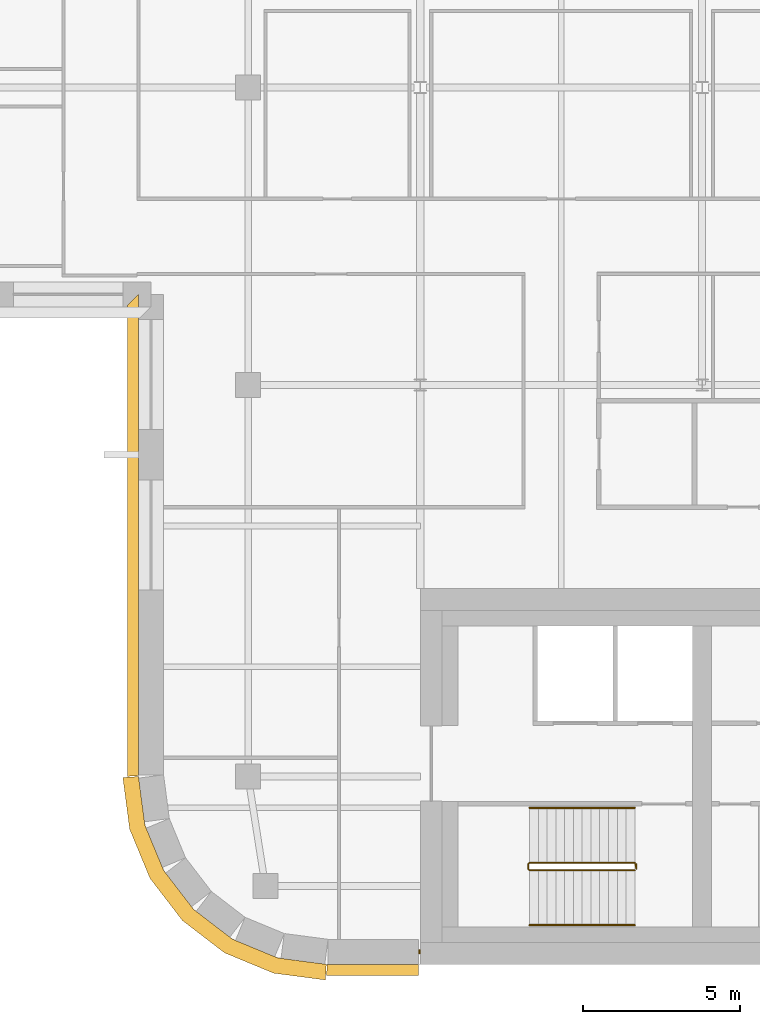
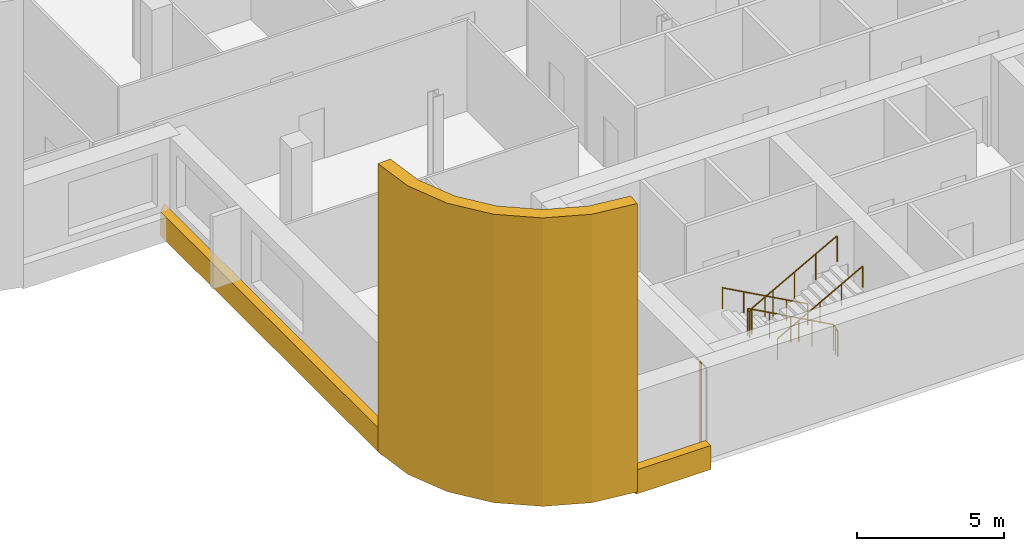
# One storey, part 14 of 17: 4 coverings, 3 railings.
"""IFC4 building model written with IfcOpenShell, lengths in metres."""

import ifcopenshell
import ifcopenshell.guid

model = None  # the IFC model being written
_history = None  # IfcOwnerHistory: only IFC2X3 demands one
_inside = {}  # id of a spatial element -> (the spatial element, [elements in it])
_under = {}  # id of a project, library or spatial element -> (it, [spatial elements below it])
_declared = {}  # id of a project -> (the project, [libraries it declares])
_typed = {}  # id of a type object -> (the type object, [elements of that type])
_made_of = {}  # id of a material, layer set ... -> (it, [elements and type objects made of it])


def new_model(schema):
    """Start an empty IFC model of exactly this schema.

    Asked for "IFC4X3", IfcOpenShell would pick the latest addendum, in which some entities
    have other attributes; the version numbers below select the first issue.
    IFC2X3 requires an IfcOwnerHistory on every rooted entity: one is made here for all.
    """
    global model, _history
    if schema == "IFC4X3":
        model = ifcopenshell.file(schema_version=(4, 3, 0, 0))
    else:
        model = ifcopenshell.file(schema=schema)
    _inside.clear()
    _under.clear()
    _declared.clear()
    _typed.clear()
    _made_of.clear()
    _history = None
    if model.schema == "IFC2X3":
        org = make("IfcOrganization", Name="unknown")
        user = make(
            "IfcPersonAndOrganization",
            ThePerson=make("IfcPerson", FamilyName="unknown"),
            TheOrganization=org,
        )
        app = make(
            "IfcApplication",
            ApplicationDeveloper=org,
            Version="unknown",
            ApplicationFullName="unknown",
            ApplicationIdentifier="unknown",
        )
        _history = make(
            "IfcOwnerHistory",
            OwningUser=user,
            OwningApplication=app,
            ChangeAction="ADDED",
            CreationDate=0,
        )
    return model


def make(cls, **values):
    """One entity of the class cls with the attributes given. An attribute that is None is left unset."""
    return model.create_entity(
        cls, **{name: value for name, value in values.items() if value is not None}
    )


def rooted(cls, **values):
    """An entity with a GlobalId (a new one), such as an element, a storey or a relation."""
    return make(cls, GlobalId=ifcopenshell.guid.new(), OwnerHistory=_history, **values)


def si_unit(unit_type, name, prefix=None):
    """IfcSIUnit, for example si_unit("LENGTHUNIT", "METRE", prefix="MILLI")."""
    return make("IfcSIUnit", UnitType=unit_type, Prefix=prefix, Name=name)


def assignment(units):
    """IfcUnitAssignment: the units of a project."""
    return None if units is None else make("IfcUnitAssignment", Units=units)


def point(xyz):
    """IfcCartesianPoint."""
    return None if xyz is None else make("IfcCartesianPoint", Coordinates=xyz)


def direction(xyz):
    """IfcDirection."""
    return None if xyz is None else make("IfcDirection", DirectionRatios=xyz)


def frame(location, z_axis=None, x_axis=None):
    """IfcAxis2Placement3D, a coordinate frame: its origin and axes. An axis left out is left unset."""
    return make(
        "IfcAxis2Placement3D",
        Location=point(location),
        Axis=direction(z_axis),
        RefDirection=direction(x_axis),
    )


def frame_2d(location, x_axis=None):
    """IfcAxis2Placement2D, a coordinate frame in the plane: its origin and x axis."""
    return make(
        "IfcAxis2Placement2D", Location=point(location), RefDirection=direction(x_axis)
    )


def origin():
    """The frame at (0, 0, 0) with its axes left unset."""
    return frame((0.0, 0.0, 0.0))


def origin_2d():
    """The frame at (0, 0) in the plane with its x axis left unset."""
    return frame_2d((0.0, 0.0))


def place(relative_to, where):
    """IfcLocalPlacement: puts the frame where relative to a parent placement (None: the world)."""
    return make(
        "IfcLocalPlacement", PlacementRelTo=relative_to, RelativePlacement=where
    )


def context(
    kind, dimensions, precision=None, world=None, true_north=None, identifier=None
):
    """IfcGeometricRepresentationContext, for example the 3D "Model" context."""
    return make(
        "IfcGeometricRepresentationContext",
        ContextIdentifier=identifier,
        ContextType=kind,
        CoordinateSpaceDimension=dimensions,
        Precision=precision,
        WorldCoordinateSystem=world,
        TrueNorth=true_north,
    )


def subcontext(parent, identifier, kind, view, scale=None):
    """IfcGeometricRepresentationSubContext, for example "Body" below "Model"."""
    return make(
        "IfcGeometricRepresentationSubContext",
        ContextIdentifier=identifier,
        ContextType=kind,
        ParentContext=parent,
        TargetScale=scale,
        TargetView=view,
    )


def project(units=None, contexts=None):
    """IfcProject with its units and contexts."""
    return rooted(
        "IfcProject",
        Name="project",
        RepresentationContexts=contexts,
        UnitsInContext=assignment(units),
    )


def spatial(cls, under=None, at=None, **own):
    """A site, building, storey or space (cls), placed at a placement, below another one or the project."""
    s = rooted(cls, ObjectPlacement=at, **own)
    if under is not None:
        _under.setdefault(under.id(), (under, []))[1].append(s)
    return s


def polyline(points):
    """IfcPolyline through the points."""
    return make("IfcPolyline", Points=[point(p) for p in points])


def profile(cls, at=None, kind="AREA", **sizes):
    """A parametric profile (cls). Its sizes go by their IFC names, for example OverallWidth=200.0."""
    return make(cls, ProfileType=kind, Position=at, **sizes)


def rectangle(**sizes):
    """IfcRectangleProfileDef."""
    return profile("IfcRectangleProfileDef", **sizes)


def circle(**sizes):
    """IfcCircleProfileDef."""
    return profile("IfcCircleProfileDef", **sizes)


def outline(outer, holes=None, kind="AREA"):
    """IfcArbitraryClosedProfileDef: a profile drawn as a closed curve; with holes, ...WithVoids."""
    if holes is None:
        return make("IfcArbitraryClosedProfileDef", ProfileType=kind, OuterCurve=outer)
    return make(
        "IfcArbitraryProfileDefWithVoids",
        ProfileType=kind,
        OuterCurve=outer,
        InnerCurves=holes,
    )


def extrude(swept, where, along, depth):
    """IfcExtrudedAreaSolid: the profile swept, set in the frame where, extruded along a direction by depth."""
    return make(
        "IfcExtrudedAreaSolid",
        SweptArea=swept,
        Position=where,
        ExtrudedDirection=direction(along),
        Depth=depth,
    )


def shape(context_of_items, identifier, shape_type, items):
    """IfcShapeRepresentation: the items that make up one representation, for example the "Body"."""
    return make(
        "IfcShapeRepresentation",
        ContextOfItems=context_of_items,
        RepresentationIdentifier=identifier,
        RepresentationType=shape_type,
        Items=items,
    )


def material(Name=None, Category=None):
    """IfcMaterial."""
    return make("IfcMaterial", Name=Name, Category=Category)


def layer(
    of_material, thickness, ventilated=None, Name=None, Category=None, Priority=None
):
    """IfcMaterialLayer: one layer of a wall or slab, of a material (None: an air gap)."""
    return make(
        "IfcMaterialLayer",
        Material=of_material,
        LayerThickness=thickness,
        IsVentilated=ventilated,
        Name=Name,
        Category=Category,
        Priority=Priority,
    )


def layer_set(layers, Name=None):
    """IfcMaterialLayerSet."""
    return make("IfcMaterialLayerSet", MaterialLayers=layers, LayerSetName=Name)


def made_of(thing, what):
    """Note that an element or type object is made of a material, layer set ...; save() writes the relation."""
    if what is not None:
        _made_of.setdefault(what.id(), (what, []))[1].append(thing)
    return thing


def type_object(cls, material=None, **own):
    """A type object (cls), such as IfcWallType, which elements share."""
    return made_of(rooted(cls, **own), material)


def element(
    cls,
    number,
    at=None,
    inside=None,
    cuts=None,
    type_object=None,
    material=None,
    context=None,
    identifier="Body",
    shape_type=None,
    held_by="IfcProductDefinitionShape",
    body=None,
    shapes=None,
    **own,
):
    """One element of the class cls, such as IfcWall. Its Tag is "e" and its number.

    at: its placement. inside: the storey or other place that contains it. cuts: it is an
    opening in that element (IfcRelVoidsElement). A single representation is given by context,
    identifier, shape_type and body (its items); several are given by shapes. held_by: the class
    of the entity that holds the representations. save() writes the other relations.
    """
    e = rooted(cls, Tag="e%d" % number, ObjectPlacement=at, **own)
    if body is not None:
        shapes = [shape(context, identifier, shape_type, body)]
    if shapes is not None:
        e.Representation = make(held_by, Representations=shapes)
    if inside is not None:
        _inside.setdefault(inside.id(), (inside, []))[1].append(e)
    if cuts is not None:
        rooted(
            "IfcRelVoidsElement", RelatingBuildingElement=cuts, RelatedOpeningElement=e
        )
    if type_object is not None:
        _typed.setdefault(type_object.id(), (type_object, []))[1].append(e)
    return made_of(e, material)


def aggregate(whole, parts):
    """IfcRelAggregates: a whole, such as a stair, and the parts it consists of."""
    return rooted("IfcRelAggregates", RelatingObject=whole, RelatedObjects=parts)


def save(model, path):
    """Write the relations noted so far, then the file.

    IfcRelAggregates (storeys below a building ...), IfcRelContainedInSpatialStructure (elements
    in a storey), IfcRelDefinesByType, IfcRelAssociatesMaterial and IfcRelDeclares: one each for
    every whole, place, type object, material and project.
    """
    for whole, parts in _under.values():
        aggregate(whole, parts)
    for where, things in _inside.values():
        rooted(
            "IfcRelContainedInSpatialStructure",
            RelatedElements=things,
            RelatingStructure=where,
        )
    for kind, things in _typed.values():
        rooted("IfcRelDefinesByType", RelatedObjects=things, RelatingType=kind)
    for what, things in _made_of.values():
        rooted("IfcRelAssociatesMaterial", RelatedObjects=things, RelatingMaterial=what)
    for by, libraries in _declared.values():
        rooted("IfcRelDeclares", RelatingContext=by, RelatedDefinitions=libraries)
    model.write(path)


model = new_model("IFC4")

# Units and contexts
model_context = context("Model", 3, precision=1e-05, world=origin(), true_north=direction((0.0, 1.0)))
body_context = subcontext(model_context, "Body", "Model", "MODEL_VIEW")
ifc_project = project(units=[si_unit("LENGTHUNIT", "METRE"), si_unit("AREAUNIT", "SQUARE_METRE"), si_unit("VOLUMEUNIT", "CUBIC_METRE"), si_unit("PLANEANGLEUNIT", "RADIAN"), si_unit("MASSUNIT", "GRAM", prefix="KILO")], contexts=[model_context])

# Site, building, storey
site_placement = place(None, origin())
site = spatial("IfcSite", under=ifc_project, at=site_placement, CompositionType="ELEMENT")
building_placement = place(site_placement, origin())
building = spatial("IfcBuilding", under=site, at=building_placement, Name="Zellij Exchange Tower", CompositionType="ELEMENT")
storey_placement = place(building_placement, frame((0.0, 0.0, 232.5)))
storey = spatial("IfcBuildingStorey", under=building, at=storey_placement, Name="L54", CompositionType="ELEMENT", Elevation=232.5)

# Railings
ifc_material_1 = material(Name="Stainless steel", Category="steel")
railing_type_1 = type_object("IfcRailingType", Name="CORE-RG stair guard", PredefinedType="GUARDRAIL", material=ifc_material_1)
railing_1_placement = place(storey_placement, frame((-20.10009765625, -10.800048828125, 0.0)))
element("IfcRailing", 1, at=railing_1_placement, inside=storey, type_object=railing_type_1, Name="ST1 stair guard L54", PredefinedType="GUARDRAIL", context=body_context, shape_type="SweptSolid", body=[
    extrude(circle(Radius=0.02392578125, at=origin_2d()), frame((0.0, 0.0, 1.076171875), z_axis=(0.0, -1.0, 0.0), x_axis=(1.0, 0.0, 0.0)), (0.0, 0.0, 1.0), 0.14990234375),
    extrude(circle(Radius=0.02392578125, at=origin_2d()), frame((0.0, -0.14990234375, 1.076171875), z_axis=(-0.193691321961, 0.777613689637, 0.598164376644), x_axis=(-0.970351222016, -0.241699205484, 0.0)), (0.0, 0.0, 1.0), 0.257080078125),
    extrude(circle(Radius=0.02392578125, at=origin_2d()), frame((-0.0498046875, 0.050048828125, 1.22998046875), z_axis=(-0.876421534553, 0.0, 0.481544695509), x_axis=(0.0, -1.0, 0.0)), (0.0, 0.0, 1.0), 3.833984375),
    extrude(circle(Radius=0.02392578125, at=origin_2d()), frame((-3.409912109375, 0.050048828125, 3.076171875), z_axis=(-0.707106781187, -0.707106781187, 0.0), x_axis=(0.707106781187, -0.707106781187, 0.0)), (0.0, 0.0, 1.0), 0.07080078125),
    extrude(circle(Radius=0.02392578125, at=origin_2d()), frame((-3.4599609375, 0.0, 3.076171875), z_axis=(0.0, -1.0, 0.0), x_axis=(1.0, 0.0, 0.0)), (0.0, 0.0, 1.0), 0.14990234375),
    extrude(circle(Radius=0.02392578125, at=origin_2d()), frame((-3.4599609375, -0.14990234375, 3.076171875), z_axis=(0.295599637079, -0.295599637079, 0.908428152975), x_axis=(0.707106781187, 0.707106781187, 0.0)), (0.0, 0.0, 1.0), 0.16943359375),
    extrude(circle(Radius=0.02392578125, at=origin_2d()), frame((-3.409912109375, -0.199951171875, 3.22998046875), z_axis=(0.876421534553, 0.0, 0.481544695509), x_axis=(0.0, 1.0, 0.0)), (0.0, 0.0, 1.0), 3.833984375),
    extrude(circle(Radius=0.02099609375, at=origin_2d()), origin(), (0.0, 0.0, 1.0), 1.052001953125),
    extrude(circle(Radius=0.02099609375, at=origin_2d()), frame((0.0, -0.14990234375, 0.0)), (0.0, 0.0, 1.0), 1.052001953125),
    extrude(circle(Radius=0.02099609375, at=origin_2d()), frame((-0.0498046875, 0.050048828125, 0.15380859375)), (0.0, 0.0, 1.0), 1.052001953125),
    extrude(circle(Radius=0.02099609375, at=origin_2d()), frame((-0.889892578125, 0.050048828125, 0.615234375)), (0.0, 0.0, 1.0), 1.052001953125),
    extrude(circle(Radius=0.02099609375, at=origin_2d()), frame((-1.72998046875, 0.050048828125, 1.076904296875)), (0.0, 0.0, 1.0), 1.052001953125),
    extrude(circle(Radius=0.02099609375, at=origin_2d()), frame((-2.56982421875, 0.050048828125, 1.53857421875)), (0.0, 0.0, 1.0), 1.052001953125),
    extrude(circle(Radius=0.02099609375, at=origin_2d()), frame((-3.409912109375, 0.050048828125, 2.0)), (0.0, 0.0, 1.0), 1.052001953125),
    extrude(circle(Radius=0.02099609375, at=origin_2d()), frame((-3.4599609375, 0.0, 2.0)), (0.0, 0.0, 1.0), 1.052001953125),
    extrude(circle(Radius=0.02099609375, at=origin_2d()), frame((-3.4599609375, -0.14990234375, 2.0)), (0.0, 0.0, 1.0), 1.052001953125),
    extrude(circle(Radius=0.02099609375, at=origin_2d()), frame((-3.409912109375, -0.199951171875, 2.15380859375)), (0.0, 0.0, 1.0), 1.052001953125),
    extrude(circle(Radius=0.02099609375, at=origin_2d()), frame((-2.56982421875, -0.199951171875, 2.615234375)), (0.0, 0.0, 1.0), 1.052001953125),
    extrude(circle(Radius=0.02099609375, at=origin_2d()), frame((-1.72998046875, -0.199951171875, 3.076904296875)), (0.0, 0.0, 1.0), 1.052001953125),
    extrude(circle(Radius=0.02099609375, at=origin_2d()), frame((-0.889892578125, -0.199951171875, 3.53857421875)), (0.0, 0.0, 1.0), 1.052001953125),
    extrude(circle(Radius=0.02099609375, at=origin_2d()), frame((-0.0498046875, -0.199951171875, 4.0)), (0.0, 0.0, 1.0), 1.052001953125),
])
railing_type_2 = type_object("IfcRailingType", Name="CORE-RH stair handrail", PredefinedType="HANDRAIL", material=ifc_material_1)
railing_2_placement = place(storey_placement, frame((-20.14990234375, -9.0, 0.15380859375)))
element("IfcRailing", 2, at=railing_2_placement, inside=storey, type_object=railing_type_2, Name="ST1 stair handrail L54", PredefinedType="HANDRAIL", context=body_context, shape_type="SweptSolid", body=[
    extrude(circle(Radius=0.02392578125, at=origin_2d()), frame((0.0, 0.0, 0.8759765625), z_axis=(-0.876421534553, 0.0, 0.481544695509), x_axis=(0.0, -1.0, 0.0)), (0.0, 0.0, 1.0), 3.833984375),
    extrude(circle(Radius=0.02099609375, at=origin_2d()), origin(), (0.0, 0.0, 1.0), 0.851806640625),
    extrude(circle(Radius=0.02099609375, at=origin_2d()), frame((-0.840087890625, 0.0, 0.46142578125)), (0.0, 0.0, 1.0), 0.851806640625),
    extrude(circle(Radius=0.02099609375, at=origin_2d()), frame((-1.68017578125, 0.0, 0.923095703125)), (0.0, 0.0, 1.0), 0.851806640625),
    extrude(circle(Radius=0.02099609375, at=origin_2d()), frame((-2.52001953125, 0.0, 1.384765625)), (0.0, 0.0, 1.0), 0.851806640625),
    extrude(circle(Radius=0.02099609375, at=origin_2d()), frame((-3.360107421875, 0.0, 1.84619140625)), (0.0, 0.0, 1.0), 0.851806640625),
])
railing_3_placement = place(storey_placement, frame((-23.510009765625, -12.75, 2.15380859375)))
element("IfcRailing", 3, at=railing_3_placement, inside=storey, type_object=railing_type_2, Name="ST1 stair handrail L54", PredefinedType="HANDRAIL", context=body_context, shape_type="SweptSolid", body=[
    extrude(circle(Radius=0.02392578125, at=origin_2d()), frame((0.0, 0.0, 0.8759765625), z_axis=(0.876421534553, 0.0, 0.481544695509), x_axis=(0.0, 1.0, 0.0)), (0.0, 0.0, 1.0), 3.833984375),
    extrude(circle(Radius=0.02099609375, at=origin_2d()), origin(), (0.0, 0.0, 1.0), 0.851806640625),
    extrude(circle(Radius=0.02099609375, at=origin_2d()), frame((0.840087890625, 0.0, 0.46142578125)), (0.0, 0.0, 1.0), 0.851806640625),
    extrude(circle(Radius=0.02099609375, at=origin_2d()), frame((1.68017578125, 0.0, 0.923095703125)), (0.0, 0.0, 1.0), 0.851806640625),
    extrude(circle(Radius=0.02099609375, at=origin_2d()), frame((2.52001953125, 0.0, 1.384765625)), (0.0, 0.0, 1.0), 0.851806640625),
    extrude(circle(Radius=0.02099609375, at=origin_2d()), frame((3.360107421875, 0.0, 1.84619140625)), (0.0, 0.0, 1.0), 0.851806640625),
])

# Coverings
ifc_material_2 = material(Name="Limestone cladding", Category="masonry")
ifc_layer_1 = layer(ifc_material_2, 0.35009765625)
ifc_layer_set_1 = layer_set([ifc_layer_1], Name="Limestone cladding")
covering_type_1 = type_object("IfcCoveringType", Name="ENV-CV10 Stone spandrel band 350", PredefinedType="CLADDING", material=ifc_layer_set_1)
covering_1_placement = place(storey_placement, frame((0.0, 0.0, -0.199951171875)))
element("IfcCovering", 4, at=covering_1_placement, inside=storey, type_object=covering_type_1, Name="Stone spandrel band", PredefinedType="CLADDING", context=body_context, shape_type="SweptSolid", body=[
    extrude(outline(polyline([(-29.973876953125, -14.0), (-27.050048828125, -14.0), (-27.050048828125, -14.35009765625), (-29.99658203125, -14.35009765625), (-29.973876953125, -14.0)])), origin(), (0.0, 0.0, 1.0), 1.0),
])
covering_2_placement = place(storey_placement, frame((0.0, 0.0, -0.199951171875)))
element("IfcCovering", 5, at=covering_2_placement, inside=storey, type_object=covering_type_1, Name="Stone spandrel band", PredefinedType="CLADDING", context=body_context, shape_type="SweptSolid", body=[
    extrude(outline(polyline([(-36.0, 7.39990234375), (-36.0, -7.973876953125), (-36.35009765625, -7.99658203125), (-36.35009765625, 7.050048828125), (-36.0, 7.39990234375)])), origin(), (0.0, 0.0, 1.0), 1.0),
])
ifc_layer_2 = layer(ifc_material_2, 0.5)
ifc_layer_set_2 = layer_set([ifc_layer_2], Name="Limestone cladding")
covering_type_2 = type_object("IfcCoveringType", Name="ENV-CV12 Stone corner pier 500", PredefinedType="CLADDING", material=ifc_layer_set_2)
covering_3_placement = place(storey_placement, origin())
element("IfcCovering", 6, at=covering_3_placement, inside=storey, type_object=covering_type_2, Name="Stone corner pier", PredefinedType="CLADDING", context=body_context, shape_type="SweptSolid", body=[
    extrude(outline(polyline([(-36.0, -8.0), (-35.795654296875, -9.552978515625), (-35.1962890625, -11.0), (-34.24267578125, -12.24267578125), (-33.0, -13.1962890625), (-31.552978515625, -13.795654296875), (-30.0, -14.0), (-30.03271484375, -14.5), (-31.683349609375, -14.28271484375), (-33.252197265625, -13.6328125), (-34.59912109375, -12.59912109375), (-35.6328125, -11.252197265625), (-36.28271484375, -9.683349609375), (-36.5, -8.03271484375), (-36.0, -8.0)])), origin(), (0.0, 0.0, 1.0), 12.0),
])
ifc_layer_3 = layer(ifc_material_2, 0.1201171875)
ifc_layer_set_3 = layer_set([ifc_layer_3], Name="Limestone cladding")
covering_type_3 = type_object("IfcCoveringType", Name="ENV-CV18 Glazing closer 120", PredefinedType="CLADDING", material=ifc_layer_set_3)
covering_4_placement = place(storey_placement, frame((-27.02490234375, -13.60009765625, 0.0), z_axis=(0.0, 0.0, 1.0), x_axis=(1.0, 0.0, 0.0)))
element("IfcCovering", 7, at=covering_4_placement, inside=storey, type_object=covering_type_3, Name="Glazing closer", PredefinedType="CLADDING", context=body_context, shape_type="SweptSolid", body=[
    extrude(rectangle(XDim=0.050048828125, YDim=0.1201171875, at=origin_2d()), origin(), (0.0, 0.0, 1.0), 3.800048828125),
])

save(model, "model.ifc")
